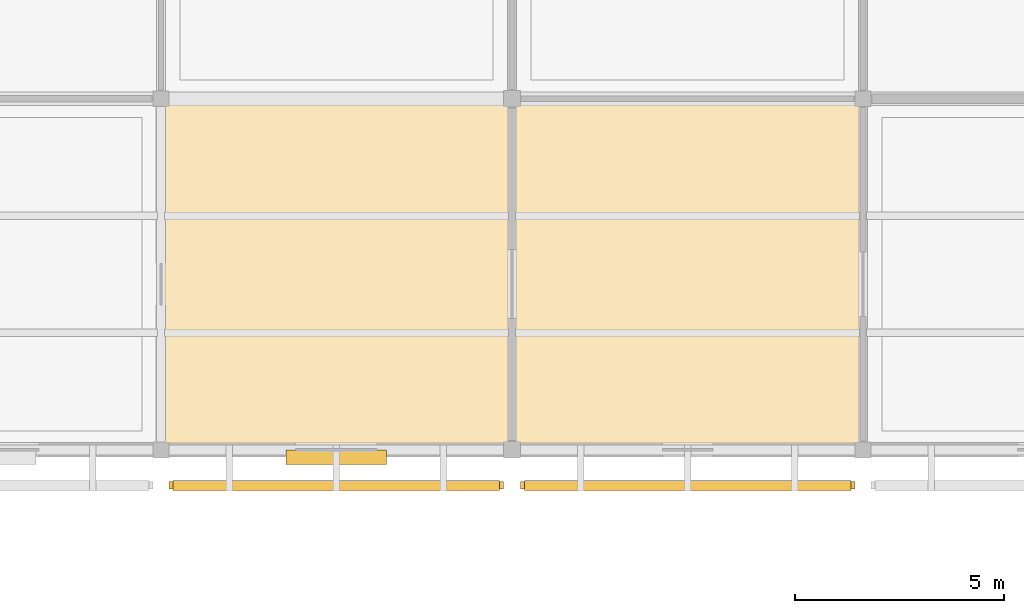
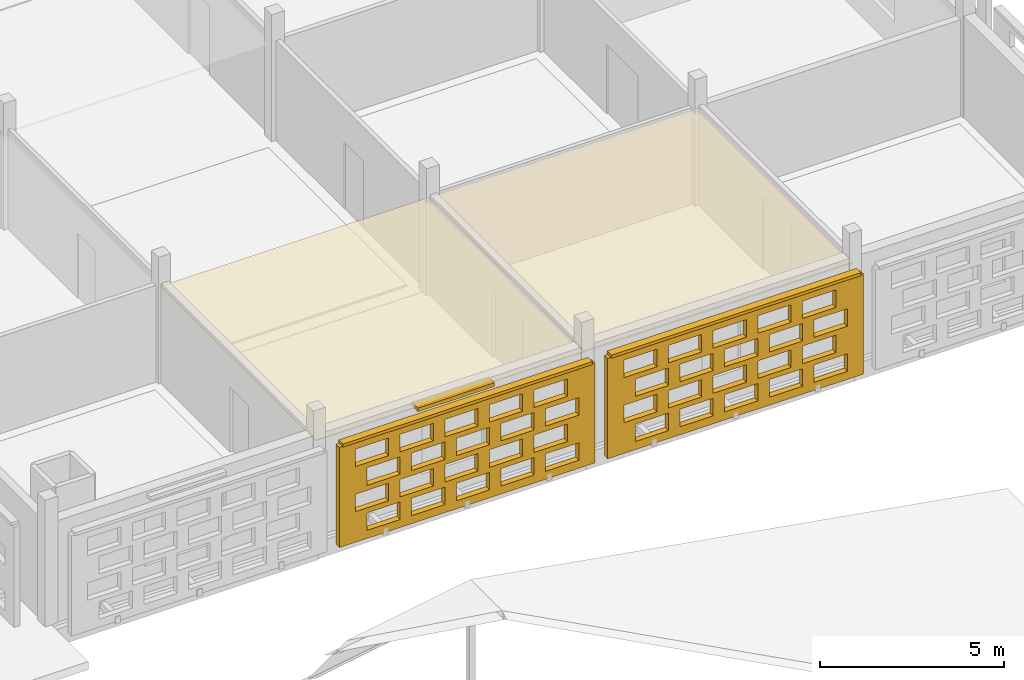
# One storey, part 131 of 140: 4 coverings, 3 shading devices, 40 openings.
"""IFC4 building model written with IfcOpenShell, lengths in metres."""

from ifc_helpers import new_model, si_unit, direction, frame, frame_2d, origin, origin_2d, place, context, subcontext, project, spatial, rectangle, extrude, material, layer, layer_set, type_object, element, save


model = new_model("IFC4")

# Units and contexts
model_context = context("Model", 3, precision=1e-05, world=origin(), true_north=direction((0.0, 1.0)))
body_context = subcontext(model_context, "Body", "Model", "MODEL_VIEW")
ifc_project = project(units=[si_unit("LENGTHUNIT", "METRE"), si_unit("AREAUNIT", "SQUARE_METRE"), si_unit("VOLUMEUNIT", "CUBIC_METRE"), si_unit("PLANEANGLEUNIT", "RADIAN"), si_unit("MASSUNIT", "GRAM", prefix="KILO")], contexts=[model_context])

# Site, building, storey
site_placement = place(None, origin())
site = spatial("IfcSite", under=ifc_project, at=site_placement, CompositionType="ELEMENT")
building_placement = place(site_placement, origin())
building = spatial("IfcBuilding", under=site, at=building_placement, Name="Varnapada Polytechnic", CompositionType="ELEMENT")
storey_placement = place(building_placement, frame((0.0, 0.0, 13.800048828125)))
storey = spatial("IfcBuildingStorey", under=building, at=storey_placement, Name="L03", CompositionType="ELEMENT", Elevation=13.800048828125)

# Shading device
ifc_material_1 = material(Name="Anodised aluminium", Category="aluminium")
ifc_layer_1 = layer(ifc_material_1, 0.35009765625)
ifc_layer_set_1 = layer_set([ifc_layer_1], Name="Anodised aluminium")
shading_device_type_1 = type_object("IfcShadingDeviceType", Name="Solar Louvre LVR-01", PredefinedType="JALOUSIE", material=ifc_layer_set_1)
shading_device_placement = place(storey_placement, frame((155.39501953125, 58.6201171875, 3.159912109375), z_axis=(0.0, 0.0, 1.0), x_axis=(-1.0, 0.0, 0.0)))
element("IfcShadingDevice", 1, at=shading_device_placement, inside=storey, type_object=shading_device_type_1, Name="L03 aluminium sun louvre 88", PredefinedType="JALOUSIE", context=body_context, shape_type="SweptSolid", body=[
    extrude(rectangle(XDim=2.39990234375, YDim=0.340087890625, at=origin_2d()), origin(), (0.0, 0.0, 1.0), 0.1201171875),
])

# Coverings
ifc_material_2 = material(Name="Perforated Timber Slatted Baffle Ceiling", Category="wood")
ifc_layer_2 = layer(ifc_material_2, 0.050048828125)
ifc_layer_set_2 = layer_set([ifc_layer_2], Name="Perforated Timber Slatted Baffle Ceiling")
covering_type_1 = type_object("IfcCoveringType", Name="Suspended Ceiling CLG-02", PredefinedType="CEILING", material=ifc_layer_set_2)
covering_1_placement = place(storey_placement, frame((163.800048828125, 63.0, 3.02490234375), z_axis=(0.0, 0.0, 1.0), x_axis=(1.0, 0.0, 0.0)))
element("IfcCovering", 2, at=covering_1_placement, inside=storey, type_object=covering_type_1, Name="L03 suspended acoustic ceiling (20,8)", PredefinedType="CEILING", context=body_context, shape_type="SweptSolid", body=[
    extrude(rectangle(XDim=8.419921875, YDim=8.419921875, at=origin_2d()), origin(), (0.0, 0.0, 1.0), 0.050048828125),
])
ifc_material_3 = material(Name="Moisture-Resistant Aluminum Baffle Ceiling", Category="aluminium")
ifc_layer_3 = layer(ifc_material_3, 0.030029296875)
ifc_layer_set_3 = layer_set([ifc_layer_3], Name="Moisture-Resistant Aluminum Baffle Ceiling")
covering_type_2 = type_object("IfcCoveringType", Name="Suspended Ceiling CLG-03", PredefinedType="CEILING", material=ifc_layer_set_3)
covering_2_placement = place(storey_placement, frame((155.39990234375, 63.0, 3.03515625), z_axis=(0.0, 0.0, 1.0), x_axis=(1.0, 0.0, 0.0)))
element("IfcCovering", 3, at=covering_2_placement, inside=storey, type_object=covering_type_2, Name="L03 suspended acoustic ceiling (19,8)", PredefinedType="CEILING", context=body_context, shape_type="SweptSolid", body=[
    extrude(rectangle(XDim=8.419921875, YDim=8.419921875, at=origin_2d()), origin(), (0.0, 0.0, 1.0), 0.030029296875),
])

# Covering, openings
ifc_material_4 = material(Name="Earth-toned architectural terracotta screen block", Category="masonry")
ifc_layer_4 = layer(ifc_material_4, 0.1201171875)
ifc_layer_set_4 = layer_set([ifc_layer_4], Name="Earth-toned architectural terracotta screen block")
covering_type_3 = type_object("IfcCoveringType", Name="Terracotta Screen Cladding CLD-01", PredefinedType="CLADDING", material=ifc_layer_set_4)
covering_3_placement = place(storey_placement, frame((159.39990234375, 57.949951171875, 0.0), z_axis=(0.0, 0.0, 1.0), x_axis=(-1.0, 0.0, 0.0)))
covering_3 = element("IfcCovering", 4, at=covering_3_placement, inside=storey, type_object=covering_type_3, Name="L03 perforated terracotta block screen (88)", PredefinedType="CLADDING", context=body_context, shape_type="SweptSolid", body=[
    extrude(rectangle(XDim=8.010009765625, YDim=0.179931640625, at=frame_2d((4.0048828125, 0.0))), origin(), (0.0, 0.0, 1.0), 3.320068359375),
])
opening_1_placement = place(covering_3_placement, frame((0.5048828125, 0.0, 0.265625)))
element("IfcOpeningElement", 5, at=opening_1_placement, cuts=covering_3, Name="Screen perforation TBS-L03-087.1", PredefinedType="OPENING", context=body_context, shape_type="SweptSolid", body=[
    extrude(rectangle(XDim=1.0400390625, YDim=0.5810546875, at=frame_2d((0.52001953125, 0.29052734375))), frame((0.0, 0.099853515625, 0.0), z_axis=(0.0, -1.0, 0.0), x_axis=(1.0, 0.0, 0.0)), (0.0, 0.0, 1.0), 0.199951171875),
])
opening_2_placement = place(covering_3_placement, frame((1.905029296875, 0.0, 0.265625)))
element("IfcOpeningElement", 6, at=opening_2_placement, cuts=covering_3, Name="Screen perforation TBS-L03-087.2", PredefinedType="OPENING", context=body_context, shape_type="SweptSolid", body=[
    extrude(rectangle(XDim=1.0400390625, YDim=0.5810546875, at=frame_2d((0.52001953125, 0.29052734375))), frame((0.0, 0.099853515625, 0.0), z_axis=(0.0, -1.0, 0.0), x_axis=(1.0, 0.0, 0.0)), (0.0, 0.0, 1.0), 0.199951171875),
])
opening_3_placement = place(covering_3_placement, frame((3.304931640625, 0.0, 0.265625)))
element("IfcOpeningElement", 7, at=opening_3_placement, cuts=covering_3, Name="Screen perforation TBS-L03-087.3", PredefinedType="OPENING", context=body_context, shape_type="SweptSolid", body=[
    extrude(rectangle(XDim=1.0400390625, YDim=0.5810546875, at=frame_2d((0.52001953125, 0.29052734375))), frame((0.0, 0.099853515625, 0.0), z_axis=(0.0, -1.0, 0.0), x_axis=(1.0, 0.0, 0.0)), (0.0, 0.0, 1.0), 0.199951171875),
])
opening_4_placement = place(covering_3_placement, frame((4.705078125, 0.0, 0.265625)))
element("IfcOpeningElement", 8, at=opening_4_placement, cuts=covering_3, Name="Screen perforation TBS-L03-087.4", PredefinedType="OPENING", context=body_context, shape_type="SweptSolid", body=[
    extrude(rectangle(XDim=1.0400390625, YDim=0.5810546875, at=frame_2d((0.52001953125, 0.29052734375))), frame((0.0, 0.099853515625, 0.0), z_axis=(0.0, -1.0, 0.0), x_axis=(1.0, 0.0, 0.0)), (0.0, 0.0, 1.0), 0.199951171875),
])
opening_5_placement = place(covering_3_placement, frame((6.10498046875, 0.0, 0.265625)))
element("IfcOpeningElement", 9, at=opening_5_placement, cuts=covering_3, Name="Screen perforation TBS-L03-087.5", PredefinedType="OPENING", context=body_context, shape_type="SweptSolid", body=[
    extrude(rectangle(XDim=1.0400390625, YDim=0.5810546875, at=frame_2d((0.52001953125, 0.29052734375))), frame((0.0, 0.099853515625, 0.0), z_axis=(0.0, -1.0, 0.0), x_axis=(1.0, 0.0, 0.0)), (0.0, 0.0, 1.0), 0.199951171875),
])
opening_6_placement = place(covering_3_placement, frame((0.864990234375, 0.0, 1.0126953125)))
element("IfcOpeningElement", 10, at=opening_6_placement, cuts=covering_3, Name="Screen perforation TBS-L03-087.6", PredefinedType="OPENING", context=body_context, shape_type="SweptSolid", body=[
    extrude(rectangle(XDim=1.0400390625, YDim=0.5810546875, at=frame_2d((0.52001953125, 0.29052734375))), frame((0.0, 0.099853515625, 0.0), z_axis=(0.0, -1.0, 0.0), x_axis=(1.0, 0.0, 0.0)), (0.0, 0.0, 1.0), 0.199951171875),
])
opening_7_placement = place(covering_3_placement, frame((2.264892578125, 0.0, 1.0126953125)))
element("IfcOpeningElement", 11, at=opening_7_placement, cuts=covering_3, Name="Screen perforation TBS-L03-087.7", PredefinedType="OPENING", context=body_context, shape_type="SweptSolid", body=[
    extrude(rectangle(XDim=1.0400390625, YDim=0.5810546875, at=frame_2d((0.52001953125, 0.29052734375))), frame((0.0, 0.099853515625, 0.0), z_axis=(0.0, -1.0, 0.0), x_axis=(1.0, 0.0, 0.0)), (0.0, 0.0, 1.0), 0.199951171875),
])
opening_8_placement = place(covering_3_placement, frame((3.6650390625, 0.0, 1.0126953125)))
element("IfcOpeningElement", 12, at=opening_8_placement, cuts=covering_3, Name="Screen perforation TBS-L03-087.8", PredefinedType="OPENING", context=body_context, shape_type="SweptSolid", body=[
    extrude(rectangle(XDim=1.0400390625, YDim=0.5810546875, at=frame_2d((0.52001953125, 0.29052734375))), frame((0.0, 0.099853515625, 0.0), z_axis=(0.0, -1.0, 0.0), x_axis=(1.0, 0.0, 0.0)), (0.0, 0.0, 1.0), 0.199951171875),
])
opening_9_placement = place(covering_3_placement, frame((5.06494140625, 0.0, 1.0126953125)))
element("IfcOpeningElement", 13, at=opening_9_placement, cuts=covering_3, Name="Screen perforation TBS-L03-087.9", PredefinedType="OPENING", context=body_context, shape_type="SweptSolid", body=[
    extrude(rectangle(XDim=1.0400390625, YDim=0.5810546875, at=frame_2d((0.52001953125, 0.29052734375))), frame((0.0, 0.099853515625, 0.0), z_axis=(0.0, -1.0, 0.0), x_axis=(1.0, 0.0, 0.0)), (0.0, 0.0, 1.0), 0.199951171875),
])
opening_10_placement = place(covering_3_placement, frame((6.465087890625, 0.0, 1.0126953125)))
element("IfcOpeningElement", 14, at=opening_10_placement, cuts=covering_3, Name="Screen perforation TBS-L03-087.10", PredefinedType="OPENING", context=body_context, shape_type="SweptSolid", body=[
    extrude(rectangle(XDim=1.0400390625, YDim=0.5810546875, at=frame_2d((0.52001953125, 0.29052734375))), frame((0.0, 0.099853515625, 0.0), z_axis=(0.0, -1.0, 0.0), x_axis=(1.0, 0.0, 0.0)), (0.0, 0.0, 1.0), 0.199951171875),
])
opening_11_placement = place(covering_3_placement, frame((0.5048828125, 0.0, 1.759521484375)))
element("IfcOpeningElement", 15, at=opening_11_placement, cuts=covering_3, Name="Screen perforation TBS-L03-087.11", PredefinedType="OPENING", context=body_context, shape_type="SweptSolid", body=[
    extrude(rectangle(XDim=1.0400390625, YDim=0.5810546875, at=frame_2d((0.52001953125, 0.29052734375))), frame((0.0, 0.099853515625, 0.0), z_axis=(0.0, -1.0, 0.0), x_axis=(1.0, 0.0, 0.0)), (0.0, 0.0, 1.0), 0.199951171875),
])
opening_12_placement = place(covering_3_placement, frame((1.905029296875, 0.0, 1.759521484375)))
element("IfcOpeningElement", 16, at=opening_12_placement, cuts=covering_3, Name="Screen perforation TBS-L03-087.12", PredefinedType="OPENING", context=body_context, shape_type="SweptSolid", body=[
    extrude(rectangle(XDim=1.0400390625, YDim=0.5810546875, at=frame_2d((0.52001953125, 0.29052734375))), frame((0.0, 0.099853515625, 0.0), z_axis=(0.0, -1.0, 0.0), x_axis=(1.0, 0.0, 0.0)), (0.0, 0.0, 1.0), 0.199951171875),
])
opening_13_placement = place(covering_3_placement, frame((3.304931640625, 0.0, 1.759521484375)))
element("IfcOpeningElement", 17, at=opening_13_placement, cuts=covering_3, Name="Screen perforation TBS-L03-087.13", PredefinedType="OPENING", context=body_context, shape_type="SweptSolid", body=[
    extrude(rectangle(XDim=1.0400390625, YDim=0.5810546875, at=frame_2d((0.52001953125, 0.29052734375))), frame((0.0, 0.099853515625, 0.0), z_axis=(0.0, -1.0, 0.0), x_axis=(1.0, 0.0, 0.0)), (0.0, 0.0, 1.0), 0.199951171875),
])
opening_14_placement = place(covering_3_placement, frame((4.705078125, 0.0, 1.759521484375)))
element("IfcOpeningElement", 18, at=opening_14_placement, cuts=covering_3, Name="Screen perforation TBS-L03-087.14", PredefinedType="OPENING", context=body_context, shape_type="SweptSolid", body=[
    extrude(rectangle(XDim=1.0400390625, YDim=0.5810546875, at=frame_2d((0.52001953125, 0.29052734375))), frame((0.0, 0.099853515625, 0.0), z_axis=(0.0, -1.0, 0.0), x_axis=(1.0, 0.0, 0.0)), (0.0, 0.0, 1.0), 0.199951171875),
])
opening_15_placement = place(covering_3_placement, frame((6.10498046875, 0.0, 1.759521484375)))
element("IfcOpeningElement", 19, at=opening_15_placement, cuts=covering_3, Name="Screen perforation TBS-L03-087.15", PredefinedType="OPENING", context=body_context, shape_type="SweptSolid", body=[
    extrude(rectangle(XDim=1.0400390625, YDim=0.5810546875, at=frame_2d((0.52001953125, 0.29052734375))), frame((0.0, 0.099853515625, 0.0), z_axis=(0.0, -1.0, 0.0), x_axis=(1.0, 0.0, 0.0)), (0.0, 0.0, 1.0), 0.199951171875),
])
opening_16_placement = place(covering_3_placement, frame((0.864990234375, 0.0, 2.506591796875)))
element("IfcOpeningElement", 20, at=opening_16_placement, cuts=covering_3, Name="Screen perforation TBS-L03-087.16", PredefinedType="OPENING", context=body_context, shape_type="SweptSolid", body=[
    extrude(rectangle(XDim=1.0400390625, YDim=0.5810546875, at=frame_2d((0.52001953125, 0.29052734375))), frame((0.0, 0.099853515625, 0.0), z_axis=(0.0, -1.0, 0.0), x_axis=(1.0, 0.0, 0.0)), (0.0, 0.0, 1.0), 0.199951171875),
])
opening_17_placement = place(covering_3_placement, frame((2.264892578125, 0.0, 2.506591796875)))
element("IfcOpeningElement", 21, at=opening_17_placement, cuts=covering_3, Name="Screen perforation TBS-L03-087.17", PredefinedType="OPENING", context=body_context, shape_type="SweptSolid", body=[
    extrude(rectangle(XDim=1.0400390625, YDim=0.5810546875, at=frame_2d((0.52001953125, 0.29052734375))), frame((0.0, 0.099853515625, 0.0), z_axis=(0.0, -1.0, 0.0), x_axis=(1.0, 0.0, 0.0)), (0.0, 0.0, 1.0), 0.199951171875),
])
opening_18_placement = place(covering_3_placement, frame((3.6650390625, 0.0, 2.506591796875)))
element("IfcOpeningElement", 22, at=opening_18_placement, cuts=covering_3, Name="Screen perforation TBS-L03-087.18", PredefinedType="OPENING", context=body_context, shape_type="SweptSolid", body=[
    extrude(rectangle(XDim=1.0400390625, YDim=0.5810546875, at=frame_2d((0.52001953125, 0.29052734375))), frame((0.0, 0.099853515625, 0.0), z_axis=(0.0, -1.0, 0.0), x_axis=(1.0, 0.0, 0.0)), (0.0, 0.0, 1.0), 0.199951171875),
])
opening_19_placement = place(covering_3_placement, frame((5.06494140625, 0.0, 2.506591796875)))
element("IfcOpeningElement", 23, at=opening_19_placement, cuts=covering_3, Name="Screen perforation TBS-L03-087.19", PredefinedType="OPENING", context=body_context, shape_type="SweptSolid", body=[
    extrude(rectangle(XDim=1.0400390625, YDim=0.5810546875, at=frame_2d((0.52001953125, 0.29052734375))), frame((0.0, 0.099853515625, 0.0), z_axis=(0.0, -1.0, 0.0), x_axis=(1.0, 0.0, 0.0)), (0.0, 0.0, 1.0), 0.199951171875),
])
opening_20_placement = place(covering_3_placement, frame((6.465087890625, 0.0, 2.506591796875)))
element("IfcOpeningElement", 24, at=opening_20_placement, cuts=covering_3, Name="Screen perforation TBS-L03-087.20", PredefinedType="OPENING", context=body_context, shape_type="SweptSolid", body=[
    extrude(rectangle(XDim=1.0400390625, YDim=0.5810546875, at=frame_2d((0.52001953125, 0.29052734375))), frame((0.0, 0.099853515625, 0.0), z_axis=(0.0, -1.0, 0.0), x_axis=(1.0, 0.0, 0.0)), (0.0, 0.0, 1.0), 0.199951171875),
])

covering_4_placement = place(storey_placement, frame((167.81005859375, 57.949951171875, 0.0), z_axis=(0.0, 0.0, 1.0), x_axis=(-1.0, 0.0, 0.0)))
covering_4 = element("IfcCovering", 25, at=covering_4_placement, inside=storey, type_object=covering_type_3, Name="L03 perforated terracotta block screen (90)", PredefinedType="CLADDING", context=body_context, shape_type="SweptSolid", body=[
    extrude(rectangle(XDim=8.010009765625, YDim=0.179931640625, at=frame_2d((4.0048828125, 0.0))), origin(), (0.0, 0.0, 1.0), 3.320068359375),
])
opening_21_placement = place(covering_4_placement, frame((0.5048828125, 0.0, 0.265625)))
element("IfcOpeningElement", 26, at=opening_21_placement, cuts=covering_4, Name="Screen perforation TBS-L03-089.1", PredefinedType="OPENING", context=body_context, shape_type="SweptSolid", body=[
    extrude(rectangle(XDim=1.0400390625, YDim=0.5810546875, at=frame_2d((0.52001953125, 0.29052734375))), frame((0.0, 0.099853515625, 0.0), z_axis=(0.0, -1.0, 0.0), x_axis=(1.0, 0.0, 0.0)), (0.0, 0.0, 1.0), 0.199951171875),
])
opening_22_placement = place(covering_4_placement, frame((1.905029296875, 0.0, 0.265625)))
element("IfcOpeningElement", 27, at=opening_22_placement, cuts=covering_4, Name="Screen perforation TBS-L03-089.2", PredefinedType="OPENING", context=body_context, shape_type="SweptSolid", body=[
    extrude(rectangle(XDim=1.0400390625, YDim=0.5810546875, at=frame_2d((0.52001953125, 0.29052734375))), frame((0.0, 0.099853515625, 0.0), z_axis=(0.0, -1.0, 0.0), x_axis=(1.0, 0.0, 0.0)), (0.0, 0.0, 1.0), 0.199951171875),
])
opening_23_placement = place(covering_4_placement, frame((3.304931640625, 0.0, 0.265625)))
element("IfcOpeningElement", 28, at=opening_23_placement, cuts=covering_4, Name="Screen perforation TBS-L03-089.3", PredefinedType="OPENING", context=body_context, shape_type="SweptSolid", body=[
    extrude(rectangle(XDim=1.0400390625, YDim=0.5810546875, at=frame_2d((0.52001953125, 0.29052734375))), frame((0.0, 0.099853515625, 0.0), z_axis=(0.0, -1.0, 0.0), x_axis=(1.0, 0.0, 0.0)), (0.0, 0.0, 1.0), 0.199951171875),
])
opening_24_placement = place(covering_4_placement, frame((4.705078125, 0.0, 0.265625)))
element("IfcOpeningElement", 29, at=opening_24_placement, cuts=covering_4, Name="Screen perforation TBS-L03-089.4", PredefinedType="OPENING", context=body_context, shape_type="SweptSolid", body=[
    extrude(rectangle(XDim=1.0400390625, YDim=0.5810546875, at=frame_2d((0.52001953125, 0.29052734375))), frame((0.0, 0.099853515625, 0.0), z_axis=(0.0, -1.0, 0.0), x_axis=(1.0, 0.0, 0.0)), (0.0, 0.0, 1.0), 0.199951171875),
])
opening_25_placement = place(covering_4_placement, frame((6.10498046875, 0.0, 0.265625)))
element("IfcOpeningElement", 30, at=opening_25_placement, cuts=covering_4, Name="Screen perforation TBS-L03-089.5", PredefinedType="OPENING", context=body_context, shape_type="SweptSolid", body=[
    extrude(rectangle(XDim=1.0400390625, YDim=0.5810546875, at=frame_2d((0.52001953125, 0.29052734375))), frame((0.0, 0.099853515625, 0.0), z_axis=(0.0, -1.0, 0.0), x_axis=(1.0, 0.0, 0.0)), (0.0, 0.0, 1.0), 0.199951171875),
])
opening_26_placement = place(covering_4_placement, frame((0.864990234375, 0.0, 1.0126953125)))
element("IfcOpeningElement", 31, at=opening_26_placement, cuts=covering_4, Name="Screen perforation TBS-L03-089.6", PredefinedType="OPENING", context=body_context, shape_type="SweptSolid", body=[
    extrude(rectangle(XDim=1.0400390625, YDim=0.5810546875, at=frame_2d((0.52001953125, 0.29052734375))), frame((0.0, 0.099853515625, 0.0), z_axis=(0.0, -1.0, 0.0), x_axis=(1.0, 0.0, 0.0)), (0.0, 0.0, 1.0), 0.199951171875),
])
opening_27_placement = place(covering_4_placement, frame((2.264892578125, 0.0, 1.0126953125)))
element("IfcOpeningElement", 32, at=opening_27_placement, cuts=covering_4, Name="Screen perforation TBS-L03-089.7", PredefinedType="OPENING", context=body_context, shape_type="SweptSolid", body=[
    extrude(rectangle(XDim=1.0400390625, YDim=0.5810546875, at=frame_2d((0.52001953125, 0.29052734375))), frame((0.0, 0.099853515625, 0.0), z_axis=(0.0, -1.0, 0.0), x_axis=(1.0, 0.0, 0.0)), (0.0, 0.0, 1.0), 0.199951171875),
])
opening_28_placement = place(covering_4_placement, frame((3.6650390625, 0.0, 1.0126953125)))
element("IfcOpeningElement", 33, at=opening_28_placement, cuts=covering_4, Name="Screen perforation TBS-L03-089.8", PredefinedType="OPENING", context=body_context, shape_type="SweptSolid", body=[
    extrude(rectangle(XDim=1.0400390625, YDim=0.5810546875, at=frame_2d((0.52001953125, 0.29052734375))), frame((0.0, 0.099853515625, 0.0), z_axis=(0.0, -1.0, 0.0), x_axis=(1.0, 0.0, 0.0)), (0.0, 0.0, 1.0), 0.199951171875),
])
opening_29_placement = place(covering_4_placement, frame((5.06494140625, 0.0, 1.0126953125)))
element("IfcOpeningElement", 34, at=opening_29_placement, cuts=covering_4, Name="Screen perforation TBS-L03-089.9", PredefinedType="OPENING", context=body_context, shape_type="SweptSolid", body=[
    extrude(rectangle(XDim=1.0400390625, YDim=0.5810546875, at=frame_2d((0.52001953125, 0.29052734375))), frame((0.0, 0.099853515625, 0.0), z_axis=(0.0, -1.0, 0.0), x_axis=(1.0, 0.0, 0.0)), (0.0, 0.0, 1.0), 0.199951171875),
])
opening_30_placement = place(covering_4_placement, frame((6.465087890625, 0.0, 1.0126953125)))
element("IfcOpeningElement", 35, at=opening_30_placement, cuts=covering_4, Name="Screen perforation TBS-L03-089.10", PredefinedType="OPENING", context=body_context, shape_type="SweptSolid", body=[
    extrude(rectangle(XDim=1.0400390625, YDim=0.5810546875, at=frame_2d((0.52001953125, 0.29052734375))), frame((0.0, 0.099853515625, 0.0), z_axis=(0.0, -1.0, 0.0), x_axis=(1.0, 0.0, 0.0)), (0.0, 0.0, 1.0), 0.199951171875),
])
opening_31_placement = place(covering_4_placement, frame((0.5048828125, 0.0, 1.759521484375)))
element("IfcOpeningElement", 36, at=opening_31_placement, cuts=covering_4, Name="Screen perforation TBS-L03-089.11", PredefinedType="OPENING", context=body_context, shape_type="SweptSolid", body=[
    extrude(rectangle(XDim=1.0400390625, YDim=0.5810546875, at=frame_2d((0.52001953125, 0.29052734375))), frame((0.0, 0.099853515625, 0.0), z_axis=(0.0, -1.0, 0.0), x_axis=(1.0, 0.0, 0.0)), (0.0, 0.0, 1.0), 0.199951171875),
])
opening_32_placement = place(covering_4_placement, frame((1.905029296875, 0.0, 1.759521484375)))
element("IfcOpeningElement", 37, at=opening_32_placement, cuts=covering_4, Name="Screen perforation TBS-L03-089.12", PredefinedType="OPENING", context=body_context, shape_type="SweptSolid", body=[
    extrude(rectangle(XDim=1.0400390625, YDim=0.5810546875, at=frame_2d((0.52001953125, 0.29052734375))), frame((0.0, 0.099853515625, 0.0), z_axis=(0.0, -1.0, 0.0), x_axis=(1.0, 0.0, 0.0)), (0.0, 0.0, 1.0), 0.199951171875),
])
opening_33_placement = place(covering_4_placement, frame((3.304931640625, 0.0, 1.759521484375)))
element("IfcOpeningElement", 38, at=opening_33_placement, cuts=covering_4, Name="Screen perforation TBS-L03-089.13", PredefinedType="OPENING", context=body_context, shape_type="SweptSolid", body=[
    extrude(rectangle(XDim=1.0400390625, YDim=0.5810546875, at=frame_2d((0.52001953125, 0.29052734375))), frame((0.0, 0.099853515625, 0.0), z_axis=(0.0, -1.0, 0.0), x_axis=(1.0, 0.0, 0.0)), (0.0, 0.0, 1.0), 0.199951171875),
])
opening_34_placement = place(covering_4_placement, frame((4.705078125, 0.0, 1.759521484375)))
element("IfcOpeningElement", 39, at=opening_34_placement, cuts=covering_4, Name="Screen perforation TBS-L03-089.14", PredefinedType="OPENING", context=body_context, shape_type="SweptSolid", body=[
    extrude(rectangle(XDim=1.0400390625, YDim=0.5810546875, at=frame_2d((0.52001953125, 0.29052734375))), frame((0.0, 0.099853515625, 0.0), z_axis=(0.0, -1.0, 0.0), x_axis=(1.0, 0.0, 0.0)), (0.0, 0.0, 1.0), 0.199951171875),
])
opening_35_placement = place(covering_4_placement, frame((6.10498046875, 0.0, 1.759521484375)))
element("IfcOpeningElement", 40, at=opening_35_placement, cuts=covering_4, Name="Screen perforation TBS-L03-089.15", PredefinedType="OPENING", context=body_context, shape_type="SweptSolid", body=[
    extrude(rectangle(XDim=1.0400390625, YDim=0.5810546875, at=frame_2d((0.52001953125, 0.29052734375))), frame((0.0, 0.099853515625, 0.0), z_axis=(0.0, -1.0, 0.0), x_axis=(1.0, 0.0, 0.0)), (0.0, 0.0, 1.0), 0.199951171875),
])
opening_36_placement = place(covering_4_placement, frame((0.864990234375, 0.0, 2.506591796875)))
element("IfcOpeningElement", 41, at=opening_36_placement, cuts=covering_4, Name="Screen perforation TBS-L03-089.16", PredefinedType="OPENING", context=body_context, shape_type="SweptSolid", body=[
    extrude(rectangle(XDim=1.0400390625, YDim=0.5810546875, at=frame_2d((0.52001953125, 0.29052734375))), frame((0.0, 0.099853515625, 0.0), z_axis=(0.0, -1.0, 0.0), x_axis=(1.0, 0.0, 0.0)), (0.0, 0.0, 1.0), 0.199951171875),
])
opening_37_placement = place(covering_4_placement, frame((2.264892578125, 0.0, 2.506591796875)))
element("IfcOpeningElement", 42, at=opening_37_placement, cuts=covering_4, Name="Screen perforation TBS-L03-089.17", PredefinedType="OPENING", context=body_context, shape_type="SweptSolid", body=[
    extrude(rectangle(XDim=1.0400390625, YDim=0.5810546875, at=frame_2d((0.52001953125, 0.29052734375))), frame((0.0, 0.099853515625, 0.0), z_axis=(0.0, -1.0, 0.0), x_axis=(1.0, 0.0, 0.0)), (0.0, 0.0, 1.0), 0.199951171875),
])
opening_38_placement = place(covering_4_placement, frame((3.6650390625, 0.0, 2.506591796875)))
element("IfcOpeningElement", 43, at=opening_38_placement, cuts=covering_4, Name="Screen perforation TBS-L03-089.18", PredefinedType="OPENING", context=body_context, shape_type="SweptSolid", body=[
    extrude(rectangle(XDim=1.0400390625, YDim=0.5810546875, at=frame_2d((0.52001953125, 0.29052734375))), frame((0.0, 0.099853515625, 0.0), z_axis=(0.0, -1.0, 0.0), x_axis=(1.0, 0.0, 0.0)), (0.0, 0.0, 1.0), 0.199951171875),
])
opening_39_placement = place(covering_4_placement, frame((5.06494140625, 0.0, 2.506591796875)))
element("IfcOpeningElement", 44, at=opening_39_placement, cuts=covering_4, Name="Screen perforation TBS-L03-089.19", PredefinedType="OPENING", context=body_context, shape_type="SweptSolid", body=[
    extrude(rectangle(XDim=1.0400390625, YDim=0.5810546875, at=frame_2d((0.52001953125, 0.29052734375))), frame((0.0, 0.099853515625, 0.0), z_axis=(0.0, -1.0, 0.0), x_axis=(1.0, 0.0, 0.0)), (0.0, 0.0, 1.0), 0.199951171875),
])
opening_40_placement = place(covering_4_placement, frame((6.465087890625, 0.0, 2.506591796875)))
element("IfcOpeningElement", 45, at=opening_40_placement, cuts=covering_4, Name="Screen perforation TBS-L03-089.20", PredefinedType="OPENING", context=body_context, shape_type="SweptSolid", body=[
    extrude(rectangle(XDim=1.0400390625, YDim=0.5810546875, at=frame_2d((0.52001953125, 0.29052734375))), frame((0.0, 0.099853515625, 0.0), z_axis=(0.0, -1.0, 0.0), x_axis=(1.0, 0.0, 0.0)), (0.0, 0.0, 1.0), 0.199951171875),
])

# Shading devices
ifc_layer_5 = layer(ifc_material_4, 0.179931640625)
ifc_layer_set_5 = layer_set([ifc_layer_5], Name="Earth-toned architectural terracotta screen block")
shading_device_type_2 = type_object("IfcShadingDeviceType", Name="Terracotta Screen SCR-01", PredefinedType="USERDEFINED", material=ifc_layer_set_5)
for number, where, z_axis, x_axis, name in (
    (46, (155.39501953125, 57.949951171875, 3.309814453125), (0.0, 0.0, 1.0), (-1.0, 0.0, 0.0), "L03 perforated terracotta screen hood 410"),
    (47, (163.804931640625, 57.949951171875, 3.309814453125), (0.0, 0.0, 1.0), (-1.0, 0.0, 0.0), "L03 perforated terracotta screen hood 412"),
):
    element("IfcShadingDevice", number, at=place(storey_placement, frame(where, z_axis=z_axis, x_axis=x_axis)), inside=storey, type_object=shading_device_type_2, Name=name, ObjectType="SCREEN", PredefinedType="USERDEFINED", context=body_context, shape_type="SweptSolid", body=[
        extrude(rectangle(XDim=7.81005859375, YDim=0.239990234375, at=origin_2d()), origin(), (0.0, 0.0, 1.0), 0.10009765625),
    ])

save(model, "model.ifc")
